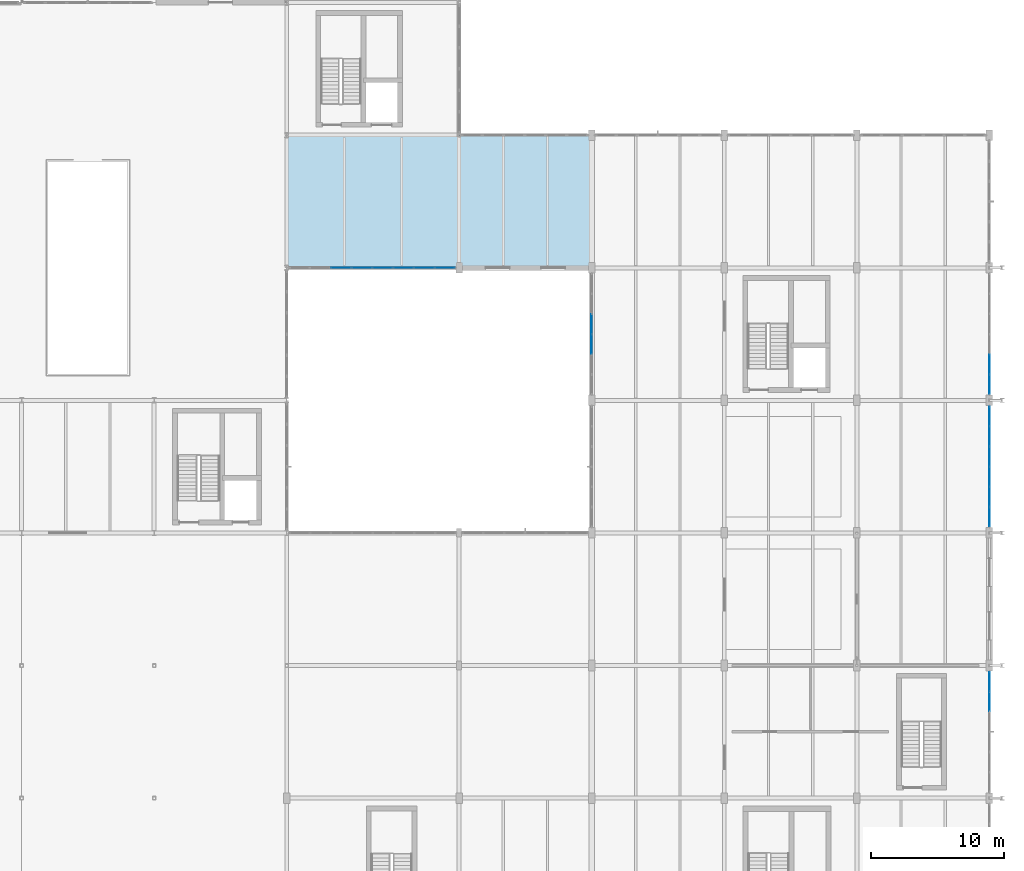
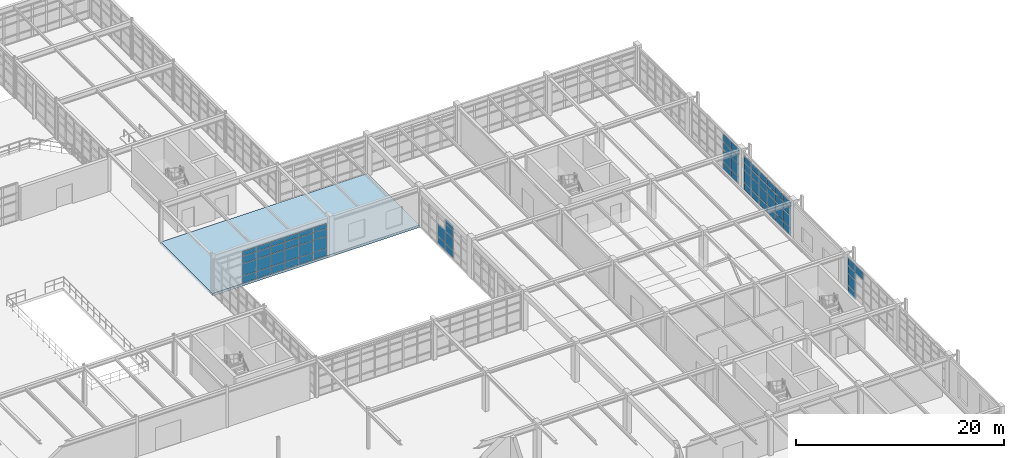
# One storey, part 100 of 139: 67 plates, 1 slab, 5 elements without a shape of their own.
"""IFC4 building model written with IfcOpenShell, lengths in metres."""

from ifc_helpers import new_model, si_unit, direction, frame, origin, origin_2d, place, context, subcontext, project, spatial, polyline, rectangle, outline, extrude, material, layer, layer_set, type_object, element, aggregate, save


model = new_model("IFC4")

# Units and contexts
model_context = context("Model", 3, precision=1e-05, world=origin(), true_north=direction((0.0, 1.0)))
body_context = subcontext(model_context, "Body", "Model", "MODEL_VIEW")
ifc_project = project(units=[si_unit("LENGTHUNIT", "METRE"), si_unit("AREAUNIT", "SQUARE_METRE"), si_unit("VOLUMEUNIT", "CUBIC_METRE"), si_unit("PLANEANGLEUNIT", "RADIAN"), si_unit("MASSUNIT", "GRAM", prefix="KILO"), si_unit("THERMODYNAMICTEMPERATUREUNIT", "KELVIN"), si_unit("POWERUNIT", "WATT")], contexts=[model_context])

# Site, building, storey
site_placement = place(None, origin())
site = spatial("IfcSite", under=ifc_project, at=site_placement, CompositionType="ELEMENT")
building_placement = place(site_placement, origin())
building = spatial("IfcBuilding", under=site, at=building_placement, Name="Korenveer Ferry Terminal", CompositionType="ELEMENT")
storey_placement = place(building_placement, frame((0.0, 0.0, 5.39990234375)))
storey = spatial("IfcBuildingStorey", under=building, at=storey_placement, Name="L01", CompositionType="ELEMENT", Elevation=5.39990234375)

# Curtain wall, plates
ifc_material_1 = material(Name="Unitised bronze-and-glass curtain wall", Category="glass")
ifc_layer_1 = layer(ifc_material_1, 0.159912109375)
ifc_layer_set_1 = layer_set([ifc_layer_1], Name="Unitised bronze-and-glass curtain wall")
curtain_wall_type_1 = type_object("IfcCurtainWallType", Name="ENV-CW-47", PredefinedType="USERDEFINED", material=ifc_layer_set_1)
curtain_wall_1_placement = place(storey_placement, frame((123.179931640625, 70.0, 0.0)))
curtain_wall_1 = element("IfcCurtainWall", 1, at=curtain_wall_1_placement, inside=storey, type_object=curtain_wall_type_1, Name="Lancet curtain wall CWX-L01-X123-136-Y70-70", ObjectType="UNITISED CURTAIN WALL", PredefinedType="USERDEFINED")
ifc_material_2 = material(Name="Low-iron solar-control double glazing", Category="glass")
ifc_layer_2 = layer(ifc_material_2, 0.028076171875)
ifc_layer_set_2 = layer_set([ifc_layer_2], Name="Low-iron solar-control double glazing")
plate_type = type_object("IfcPlateType", Name="ENV-CWP-GLZ28", PredefinedType="CURTAIN_PANEL", material=ifc_layer_set_2)
plate_1_placement = place(storey_placement, frame((127.0986328125, 70.0, 0.06005859375), z_axis=(0.0, 0.0, 1.0), x_axis=(1.0, 0.0, 0.0)))
plate_1 = element("IfcPlate", 2, at=plate_1_placement, type_object=plate_type, Name="CW-47 panel 3.1", PredefinedType="CURTAIN_PANEL", context=body_context, shape_type="SweptSolid", body=[
    extrude(rectangle(XDim=1.507568359375, YDim=0.028076171875, at=origin_2d()), origin(), (0.0, 0.0, 1.0), 0.81005859375),
])
plate_2_placement = place(storey_placement, frame((127.0986328125, 70.0, 0.93017578125), z_axis=(0.0, 0.0, 1.0), x_axis=(1.0, 0.0, 0.0)))
plate_2 = element("IfcPlate", 3, at=plate_2_placement, type_object=plate_type, Name="CW-47 panel 3.2", PredefinedType="CURTAIN_PANEL", context=body_context, shape_type="SweptSolid", body=[
    extrude(rectangle(XDim=1.507568359375, YDim=0.028076171875, at=origin_2d()), origin(), (0.0, 0.0, 1.0), 1.389892578125),
])
plate_3_placement = place(storey_placement, frame((127.0986328125, 70.0, 2.3798828125), z_axis=(0.0, 0.0, 1.0), x_axis=(1.0, 0.0, 0.0)))
plate_3 = element("IfcPlate", 4, at=plate_3_placement, type_object=plate_type, Name="CW-47 panel 3.3", PredefinedType="CURTAIN_PANEL", context=body_context, shape_type="SweptSolid", body=[
    extrude(rectangle(XDim=1.507568359375, YDim=0.028076171875, at=origin_2d()), origin(), (0.0, 0.0, 1.0), 0.840087890625),
])
plate_4_placement = place(storey_placement, frame((127.0986328125, 70.0, 3.2802734375), z_axis=(0.0, 0.0, 1.0), x_axis=(1.0, 0.0, 0.0)))
plate_4 = element("IfcPlate", 5, at=plate_4_placement, type_object=plate_type, Name="CW-47 panel 3.4", PredefinedType="CURTAIN_PANEL", context=body_context, shape_type="SweptSolid", body=[
    extrude(rectangle(XDim=1.507568359375, YDim=0.028076171875, at=origin_2d()), origin(), (0.0, 0.0, 1.0), 0.530029296875),
])
plate_5_placement = place(storey_placement, frame((128.666259765625, 70.0, 0.06005859375), z_axis=(0.0, 0.0, 1.0), x_axis=(1.0, 0.0, 0.0)))
plate_5 = element("IfcPlate", 6, at=plate_5_placement, type_object=plate_type, Name="CW-47 panel 4.1", PredefinedType="CURTAIN_PANEL", context=body_context, shape_type="SweptSolid", body=[
    extrude(rectangle(XDim=1.507568359375, YDim=0.028076171875, at=origin_2d()), origin(), (0.0, 0.0, 1.0), 0.81005859375),
])
plate_6_placement = place(storey_placement, frame((128.666259765625, 70.0, 0.93017578125), z_axis=(0.0, 0.0, 1.0), x_axis=(1.0, 0.0, 0.0)))
plate_6 = element("IfcPlate", 7, at=plate_6_placement, type_object=plate_type, Name="CW-47 panel 4.2", PredefinedType="CURTAIN_PANEL", context=body_context, shape_type="SweptSolid", body=[
    extrude(rectangle(XDim=1.507568359375, YDim=0.028076171875, at=origin_2d()), origin(), (0.0, 0.0, 1.0), 1.389892578125),
])
plate_7_placement = place(storey_placement, frame((128.666259765625, 70.0, 2.3798828125), z_axis=(0.0, 0.0, 1.0), x_axis=(1.0, 0.0, 0.0)))
plate_7 = element("IfcPlate", 8, at=plate_7_placement, type_object=plate_type, Name="CW-47 panel 4.3", PredefinedType="CURTAIN_PANEL", context=body_context, shape_type="SweptSolid", body=[
    extrude(rectangle(XDim=1.507568359375, YDim=0.028076171875, at=origin_2d()), origin(), (0.0, 0.0, 1.0), 0.840087890625),
])
plate_8_placement = place(storey_placement, frame((128.666259765625, 70.0, 3.2802734375), z_axis=(0.0, 0.0, 1.0), x_axis=(1.0, 0.0, 0.0)))
plate_8 = element("IfcPlate", 9, at=plate_8_placement, type_object=plate_type, Name="CW-47 panel 4.4", PredefinedType="CURTAIN_PANEL", context=body_context, shape_type="SweptSolid", body=[
    extrude(rectangle(XDim=1.507568359375, YDim=0.028076171875, at=origin_2d()), origin(), (0.0, 0.0, 1.0), 0.530029296875),
])
plate_9_placement = place(storey_placement, frame((130.233642578125, 70.0, 0.06005859375), z_axis=(0.0, 0.0, 1.0), x_axis=(1.0, 0.0, 0.0)))
plate_9 = element("IfcPlate", 10, at=plate_9_placement, type_object=plate_type, Name="CW-47 panel 5.1", PredefinedType="CURTAIN_PANEL", context=body_context, shape_type="SweptSolid", body=[
    extrude(rectangle(XDim=1.507568359375, YDim=0.028076171875, at=origin_2d()), origin(), (0.0, 0.0, 1.0), 0.81005859375),
])
plate_10_placement = place(storey_placement, frame((130.233642578125, 70.0, 0.93017578125), z_axis=(0.0, 0.0, 1.0), x_axis=(1.0, 0.0, 0.0)))
plate_10 = element("IfcPlate", 11, at=plate_10_placement, type_object=plate_type, Name="CW-47 panel 5.2", PredefinedType="CURTAIN_PANEL", context=body_context, shape_type="SweptSolid", body=[
    extrude(rectangle(XDim=1.507568359375, YDim=0.028076171875, at=origin_2d()), origin(), (0.0, 0.0, 1.0), 1.389892578125),
])
plate_11_placement = place(storey_placement, frame((130.233642578125, 70.0, 2.3798828125), z_axis=(0.0, 0.0, 1.0), x_axis=(1.0, 0.0, 0.0)))
plate_11 = element("IfcPlate", 12, at=plate_11_placement, type_object=plate_type, Name="CW-47 panel 5.3", PredefinedType="CURTAIN_PANEL", context=body_context, shape_type="SweptSolid", body=[
    extrude(rectangle(XDim=1.507568359375, YDim=0.028076171875, at=origin_2d()), origin(), (0.0, 0.0, 1.0), 0.840087890625),
])
plate_12_placement = place(storey_placement, frame((130.233642578125, 70.0, 3.2802734375), z_axis=(0.0, 0.0, 1.0), x_axis=(1.0, 0.0, 0.0)))
plate_12 = element("IfcPlate", 13, at=plate_12_placement, type_object=plate_type, Name="CW-47 panel 5.4", PredefinedType="CURTAIN_PANEL", context=body_context, shape_type="SweptSolid", body=[
    extrude(rectangle(XDim=1.507568359375, YDim=0.028076171875, at=origin_2d()), origin(), (0.0, 0.0, 1.0), 0.530029296875),
])
plate_13_placement = place(storey_placement, frame((131.80126953125, 70.0, 0.06005859375), z_axis=(0.0, 0.0, 1.0), x_axis=(1.0, 0.0, 0.0)))
plate_13 = element("IfcPlate", 14, at=plate_13_placement, type_object=plate_type, Name="CW-47 panel 6.1", PredefinedType="CURTAIN_PANEL", context=body_context, shape_type="SweptSolid", body=[
    extrude(rectangle(XDim=1.507568359375, YDim=0.028076171875, at=origin_2d()), origin(), (0.0, 0.0, 1.0), 0.81005859375),
])
plate_14_placement = place(storey_placement, frame((131.80126953125, 70.0, 0.93017578125), z_axis=(0.0, 0.0, 1.0), x_axis=(1.0, 0.0, 0.0)))
plate_14 = element("IfcPlate", 15, at=plate_14_placement, type_object=plate_type, Name="CW-47 panel 6.2", PredefinedType="CURTAIN_PANEL", context=body_context, shape_type="SweptSolid", body=[
    extrude(rectangle(XDim=1.507568359375, YDim=0.028076171875, at=origin_2d()), origin(), (0.0, 0.0, 1.0), 1.389892578125),
])
plate_15_placement = place(storey_placement, frame((131.80126953125, 70.0, 2.3798828125), z_axis=(0.0, 0.0, 1.0), x_axis=(1.0, 0.0, 0.0)))
plate_15 = element("IfcPlate", 16, at=plate_15_placement, type_object=plate_type, Name="CW-47 panel 6.3", PredefinedType="CURTAIN_PANEL", context=body_context, shape_type="SweptSolid", body=[
    extrude(rectangle(XDim=1.507568359375, YDim=0.028076171875, at=origin_2d()), origin(), (0.0, 0.0, 1.0), 0.840087890625),
])
plate_16_placement = place(storey_placement, frame((131.80126953125, 70.0, 3.2802734375), z_axis=(0.0, 0.0, 1.0), x_axis=(1.0, 0.0, 0.0)))
plate_16 = element("IfcPlate", 17, at=plate_16_placement, type_object=plate_type, Name="CW-47 panel 6.4", PredefinedType="CURTAIN_PANEL", context=body_context, shape_type="SweptSolid", body=[
    extrude(rectangle(XDim=1.507568359375, YDim=0.028076171875, at=origin_2d()), origin(), (0.0, 0.0, 1.0), 0.530029296875),
])
plate_17_placement = place(storey_placement, frame((133.36865234375, 70.0, 0.06005859375), z_axis=(0.0, 0.0, 1.0), x_axis=(1.0, 0.0, 0.0)))
plate_17 = element("IfcPlate", 18, at=plate_17_placement, type_object=plate_type, Name="CW-47 panel 7.1", PredefinedType="CURTAIN_PANEL", context=body_context, shape_type="SweptSolid", body=[
    extrude(rectangle(XDim=1.507568359375, YDim=0.028076171875, at=origin_2d()), origin(), (0.0, 0.0, 1.0), 0.81005859375),
])
plate_18_placement = place(storey_placement, frame((133.36865234375, 70.0, 0.93017578125), z_axis=(0.0, 0.0, 1.0), x_axis=(1.0, 0.0, 0.0)))
plate_18 = element("IfcPlate", 19, at=plate_18_placement, type_object=plate_type, Name="CW-47 panel 7.2", PredefinedType="CURTAIN_PANEL", context=body_context, shape_type="SweptSolid", body=[
    extrude(rectangle(XDim=1.507568359375, YDim=0.028076171875, at=origin_2d()), origin(), (0.0, 0.0, 1.0), 1.389892578125),
])
plate_19_placement = place(storey_placement, frame((133.36865234375, 70.0, 2.3798828125), z_axis=(0.0, 0.0, 1.0), x_axis=(1.0, 0.0, 0.0)))
plate_19 = element("IfcPlate", 20, at=plate_19_placement, type_object=plate_type, Name="CW-47 panel 7.3", PredefinedType="CURTAIN_PANEL", context=body_context, shape_type="SweptSolid", body=[
    extrude(rectangle(XDim=1.507568359375, YDim=0.028076171875, at=origin_2d()), origin(), (0.0, 0.0, 1.0), 0.840087890625),
])
plate_20_placement = place(storey_placement, frame((133.36865234375, 70.0, 3.2802734375), z_axis=(0.0, 0.0, 1.0), x_axis=(1.0, 0.0, 0.0)))
plate_20 = element("IfcPlate", 21, at=plate_20_placement, type_object=plate_type, Name="CW-47 panel 7.4", PredefinedType="CURTAIN_PANEL", context=body_context, shape_type="SweptSolid", body=[
    extrude(rectangle(XDim=1.507568359375, YDim=0.028076171875, at=origin_2d()), origin(), (0.0, 0.0, 1.0), 0.530029296875),
])
plate_21_placement = place(storey_placement, frame((134.921142578125, 70.0, 0.06005859375), z_axis=(0.0, 0.0, 1.0), x_axis=(1.0, 0.0, 0.0)))
plate_21 = element("IfcPlate", 22, at=plate_21_placement, type_object=plate_type, Name="CW-47 panel 8.1", PredefinedType="CURTAIN_PANEL", context=body_context, shape_type="SweptSolid", body=[
    extrude(rectangle(XDim=1.4775390625, YDim=0.028076171875, at=origin_2d()), origin(), (0.0, 0.0, 1.0), 0.81005859375),
])
plate_22_placement = place(storey_placement, frame((134.921142578125, 70.0, 0.93017578125), z_axis=(0.0, 0.0, 1.0), x_axis=(1.0, 0.0, 0.0)))
plate_22 = element("IfcPlate", 23, at=plate_22_placement, type_object=plate_type, Name="CW-47 panel 8.2", PredefinedType="CURTAIN_PANEL", context=body_context, shape_type="SweptSolid", body=[
    extrude(rectangle(XDim=1.4775390625, YDim=0.028076171875, at=origin_2d()), origin(), (0.0, 0.0, 1.0), 1.389892578125),
])
plate_23_placement = place(storey_placement, frame((134.921142578125, 70.0, 2.3798828125), z_axis=(0.0, 0.0, 1.0), x_axis=(1.0, 0.0, 0.0)))
plate_23 = element("IfcPlate", 24, at=plate_23_placement, type_object=plate_type, Name="CW-47 panel 8.3", PredefinedType="CURTAIN_PANEL", context=body_context, shape_type="SweptSolid", body=[
    extrude(rectangle(XDim=1.4775390625, YDim=0.028076171875, at=origin_2d()), origin(), (0.0, 0.0, 1.0), 0.840087890625),
])
plate_24_placement = place(storey_placement, frame((134.921142578125, 70.0, 3.2802734375), z_axis=(0.0, 0.0, 1.0), x_axis=(1.0, 0.0, 0.0)))
plate_24 = element("IfcPlate", 25, at=plate_24_placement, type_object=plate_type, Name="CW-47 panel 8.4", PredefinedType="CURTAIN_PANEL", context=body_context, shape_type="SweptSolid", body=[
    extrude(rectangle(XDim=1.4775390625, YDim=0.028076171875, at=origin_2d()), origin(), (0.0, 0.0, 1.0), 0.530029296875),
])
aggregate(curtain_wall_1, [plate_1, plate_2, plate_3, plate_4, plate_5, plate_6, plate_7, plate_8, plate_9, plate_10, plate_11, plate_12, plate_13, plate_14, plate_15, plate_16, plate_17, plate_18, plate_19, plate_20, plate_21, plate_22, plate_23, plate_24])

ifc_layer_3 = layer(ifc_material_1, 0.159912109375)
ifc_layer_set_3 = layer_set([ifc_layer_3], Name="Unitised bronze-and-glass curtain wall")
curtain_wall_type_2 = type_object("IfcCurtainWallType", Name="ENV-CW-79", PredefinedType="USERDEFINED", material=ifc_layer_set_3)
curtain_wall_2_placement = place(storey_placement, frame((146.0, 60.429931640625, 0.0)))
curtain_wall_2 = element("IfcCurtainWall", 26, at=curtain_wall_2_placement, inside=storey, type_object=curtain_wall_type_2, Name="Lancet curtain wall CWX-L01-X146-146-Y60-70", ObjectType="UNITISED CURTAIN WALL", PredefinedType="USERDEFINED")
plate_25_placement = place(storey_placement, frame((146.0, 64.23828125, 0.06005859375), z_axis=(0.0, 0.0, 1.0), x_axis=(0.0, 1.0, 0.0)))
plate_25 = element("IfcPlate", 27, at=plate_25_placement, type_object=plate_type, Name="CW-79 panel 3.1", PredefinedType="CURTAIN_PANEL", context=body_context, shape_type="SweptSolid", body=[
    extrude(rectangle(XDim=1.46337890625, YDim=0.028076171875, at=origin_2d()), origin(), (0.0, 0.0, 1.0), 0.81005859375),
])
plate_26_placement = place(storey_placement, frame((146.0, 64.23828125, 0.93017578125), z_axis=(0.0, 0.0, 1.0), x_axis=(0.0, 1.0, 0.0)))
plate_26 = element("IfcPlate", 28, at=plate_26_placement, type_object=plate_type, Name="CW-79 panel 3.2", PredefinedType="CURTAIN_PANEL", context=body_context, shape_type="SweptSolid", body=[
    extrude(rectangle(XDim=1.46337890625, YDim=0.028076171875, at=origin_2d()), origin(), (0.0, 0.0, 1.0), 1.389892578125),
])
plate_27_placement = place(storey_placement, frame((146.0, 64.23828125, 2.3798828125), z_axis=(0.0, 0.0, 1.0), x_axis=(0.0, 1.0, 0.0)))
plate_27 = element("IfcPlate", 29, at=plate_27_placement, type_object=plate_type, Name="CW-79 panel 3.3", PredefinedType="CURTAIN_PANEL", context=body_context, shape_type="SweptSolid", body=[
    extrude(rectangle(XDim=1.46337890625, YDim=0.028076171875, at=origin_2d()), origin(), (0.0, 0.0, 1.0), 0.840087890625),
])
plate_28_placement = place(storey_placement, frame((146.0, 64.23828125, 3.2802734375), z_axis=(0.0, 0.0, 1.0), x_axis=(0.0, 1.0, 0.0)))
plate_28 = element("IfcPlate", 30, at=plate_28_placement, type_object=plate_type, Name="CW-79 panel 3.4", PredefinedType="CURTAIN_PANEL", context=body_context, shape_type="SweptSolid", body=[
    extrude(rectangle(XDim=1.46337890625, YDim=0.028076171875, at=origin_2d()), origin(), (0.0, 0.0, 1.0), 0.530029296875),
])
plate_29_placement = place(storey_placement, frame((146.0, 65.76171875, 0.06005859375), z_axis=(0.0, 0.0, 1.0), x_axis=(0.0, 1.0, 0.0)))
plate_29 = element("IfcPlate", 31, at=plate_29_placement, type_object=plate_type, Name="CW-79 panel 4.1", PredefinedType="CURTAIN_PANEL", context=body_context, shape_type="SweptSolid", body=[
    extrude(rectangle(XDim=1.46337890625, YDim=0.028076171875, at=origin_2d()), origin(), (0.0, 0.0, 1.0), 0.81005859375),
])
plate_30_placement = place(storey_placement, frame((146.0, 65.76171875, 0.93017578125), z_axis=(0.0, 0.0, 1.0), x_axis=(0.0, 1.0, 0.0)))
plate_30 = element("IfcPlate", 32, at=plate_30_placement, type_object=plate_type, Name="CW-79 panel 4.2", PredefinedType="CURTAIN_PANEL", context=body_context, shape_type="SweptSolid", body=[
    extrude(rectangle(XDim=1.46337890625, YDim=0.028076171875, at=origin_2d()), origin(), (0.0, 0.0, 1.0), 1.389892578125),
])
aggregate(curtain_wall_2, [plate_25, plate_26, plate_27, plate_28, plate_29, plate_30])

ifc_layer_4 = layer(ifc_material_1, 0.159912109375)
ifc_layer_set_4 = layer_set([ifc_layer_4], Name="Unitised bronze-and-glass curtain wall")
curtain_wall_type_3 = type_object("IfcCurtainWallType", Name="ENV-CW-81", PredefinedType="USERDEFINED", material=ifc_layer_set_4)
curtain_wall_3_placement = place(storey_placement, frame((176.0, 39.570068359375, 0.0)))
curtain_wall_3 = element("IfcCurtainWall", 33, at=curtain_wall_3_placement, inside=storey, type_object=curtain_wall_type_3, Name="Lancet curtain wall CWX-L01-X176-176-Y30-40", ObjectType="UNITISED CURTAIN WALL", PredefinedType="USERDEFINED")
plate_31_placement = place(storey_placement, frame((176.0, 38.793212890625, 0.06005859375), z_axis=(0.0, 0.0, 1.0), x_axis=(0.0, -1.0, 0.0)))
plate_31 = element("IfcPlate", 34, at=plate_31_placement, type_object=plate_type, Name="CW-81 panel 1.1", PredefinedType="CURTAIN_PANEL", context=body_context, shape_type="SweptSolid", body=[
    extrude(rectangle(XDim=1.433349609375, YDim=0.028076171875, at=origin_2d()), origin(), (0.0, 0.0, 1.0), 0.81005859375),
])
plate_32_placement = place(storey_placement, frame((176.0, 38.793212890625, 0.93017578125), z_axis=(0.0, 0.0, 1.0), x_axis=(0.0, -1.0, 0.0)))
plate_32 = element("IfcPlate", 35, at=plate_32_placement, type_object=plate_type, Name="CW-81 panel 1.2", PredefinedType="CURTAIN_PANEL", context=body_context, shape_type="SweptSolid", body=[
    extrude(rectangle(XDim=1.433349609375, YDim=0.028076171875, at=origin_2d()), origin(), (0.0, 0.0, 1.0), 1.389892578125),
])
plate_33_placement = place(storey_placement, frame((176.0, 38.793212890625, 2.3798828125), z_axis=(0.0, 0.0, 1.0), x_axis=(0.0, -1.0, 0.0)))
plate_33 = element("IfcPlate", 36, at=plate_33_placement, type_object=plate_type, Name="CW-81 panel 1.3", PredefinedType="CURTAIN_PANEL", context=body_context, shape_type="SweptSolid", body=[
    extrude(rectangle(XDim=1.433349609375, YDim=0.028076171875, at=origin_2d()), origin(), (0.0, 0.0, 1.0), 0.840087890625),
])
plate_34_placement = place(storey_placement, frame((176.0, 38.793212890625, 3.2802734375), z_axis=(0.0, 0.0, 1.0), x_axis=(0.0, -1.0, 0.0)))
plate_34 = element("IfcPlate", 37, at=plate_34_placement, type_object=plate_type, Name="CW-81 panel 1.4", PredefinedType="CURTAIN_PANEL", context=body_context, shape_type="SweptSolid", body=[
    extrude(rectangle(XDim=1.433349609375, YDim=0.028076171875, at=origin_2d()), origin(), (0.0, 0.0, 1.0), 0.929931640625),
])
plate_35_placement = place(storey_placement, frame((176.0, 37.284912109375, 3.2802734375), z_axis=(0.0, 0.0, 1.0), x_axis=(0.0, -1.0, 0.0)))
plate_35 = element("IfcPlate", 38, at=plate_35_placement, type_object=plate_type, Name="CW-81 panel 2.4", PredefinedType="CURTAIN_PANEL", context=body_context, shape_type="SweptSolid", body=[
    extrude(rectangle(XDim=1.46337890625, YDim=0.028076171875, at=origin_2d()), origin(), (0.0, 0.0, 1.0), 0.929931640625),
])
aggregate(curtain_wall_3, [plate_31, plate_32, plate_33, plate_34, plate_35])

ifc_layer_5 = layer(ifc_material_1, 0.159912109375)
ifc_layer_set_5 = layer_set([ifc_layer_5], Name="Unitised bronze-and-glass curtain wall")
curtain_wall_type_4 = type_object("IfcCurtainWallType", Name="ENV-CW-80", PredefinedType="USERDEFINED", material=ifc_layer_set_5)
curtain_wall_4_placement = place(storey_placement, frame((176.0, 59.570068359375, 0.0)))
curtain_wall_4 = element("IfcCurtainWall", 39, at=curtain_wall_4_placement, inside=storey, type_object=curtain_wall_type_4, Name="Lancet curtain wall CWX-L01-X176-176-Y50-60", ObjectType="UNITISED CURTAIN WALL", PredefinedType="USERDEFINED")
plate_36_placement = place(storey_placement, frame((176.0, 58.793212890625, 0.06005859375), z_axis=(0.0, 0.0, 1.0), x_axis=(0.0, -1.0, 0.0)))
plate_36 = element("IfcPlate", 40, at=plate_36_placement, type_object=plate_type, Name="CW-80 panel 1.1", PredefinedType="CURTAIN_PANEL", context=body_context, shape_type="SweptSolid", body=[
    extrude(rectangle(XDim=1.433349609375, YDim=0.028076171875, at=origin_2d()), origin(), (0.0, 0.0, 1.0), 0.81005859375),
])
plate_37_placement = place(storey_placement, frame((176.0, 58.793212890625, 0.93017578125), z_axis=(0.0, 0.0, 1.0), x_axis=(0.0, -1.0, 0.0)))
plate_37 = element("IfcPlate", 41, at=plate_37_placement, type_object=plate_type, Name="CW-80 panel 1.2", PredefinedType="CURTAIN_PANEL", context=body_context, shape_type="SweptSolid", body=[
    extrude(rectangle(XDim=1.433349609375, YDim=0.028076171875, at=origin_2d()), origin(), (0.0, 0.0, 1.0), 1.389892578125),
])
plate_38_placement = place(storey_placement, frame((176.0, 58.793212890625, 2.3798828125), z_axis=(0.0, 0.0, 1.0), x_axis=(0.0, -1.0, 0.0)))
plate_38 = element("IfcPlate", 42, at=plate_38_placement, type_object=plate_type, Name="CW-80 panel 1.3", PredefinedType="CURTAIN_PANEL", context=body_context, shape_type="SweptSolid", body=[
    extrude(rectangle(XDim=1.433349609375, YDim=0.028076171875, at=origin_2d()), origin(), (0.0, 0.0, 1.0), 0.840087890625),
])
plate_39_placement = place(storey_placement, frame((176.0, 58.793212890625, 3.280029296875), z_axis=(0.0, 0.0, 1.0), x_axis=(0.0, -1.0, 0.0)))
plate_39 = element("IfcPlate", 43, at=plate_39_placement, type_object=plate_type, Name="CW-80 panel 1.4", PredefinedType="CURTAIN_PANEL", context=body_context, shape_type="SweptSolid", body=[
    extrude(rectangle(XDim=1.433349609375, YDim=0.028076171875, at=origin_2d()), origin(), (0.0, 0.0, 1.0), 0.72998046875),
])
plate_40_placement = place(storey_placement, frame((176.0, 57.284912109375, 0.06005859375), z_axis=(0.0, 0.0, 1.0), x_axis=(0.0, -1.0, 0.0)))
plate_40 = element("IfcPlate", 44, at=plate_40_placement, type_object=plate_type, Name="CW-80 panel 2.1", PredefinedType="CURTAIN_PANEL", context=body_context, shape_type="SweptSolid", body=[
    extrude(rectangle(XDim=1.46337890625, YDim=0.028076171875, at=origin_2d()), origin(), (0.0, 0.0, 1.0), 0.81005859375),
])
plate_41_placement = place(storey_placement, frame((176.0, 57.284912109375, 0.93017578125), z_axis=(0.0, 0.0, 1.0), x_axis=(0.0, -1.0, 0.0)))
plate_41 = element("IfcPlate", 45, at=plate_41_placement, type_object=plate_type, Name="CW-80 panel 2.2", PredefinedType="CURTAIN_PANEL", context=body_context, shape_type="SweptSolid", body=[
    extrude(rectangle(XDim=1.46337890625, YDim=0.028076171875, at=origin_2d()), origin(), (0.0, 0.0, 1.0), 1.389892578125),
])
plate_42_placement = place(storey_placement, frame((176.0, 57.284912109375, 2.3798828125), z_axis=(0.0, 0.0, 1.0), x_axis=(0.0, -1.0, 0.0)))
plate_42 = element("IfcPlate", 46, at=plate_42_placement, type_object=plate_type, Name="CW-80 panel 2.3", PredefinedType="CURTAIN_PANEL", context=body_context, shape_type="SweptSolid", body=[
    extrude(rectangle(XDim=1.46337890625, YDim=0.028076171875, at=origin_2d()), origin(), (0.0, 0.0, 1.0), 0.840087890625),
])
plate_43_placement = place(storey_placement, frame((176.0, 57.284912109375, 3.280029296875), z_axis=(0.0, 0.0, 1.0), x_axis=(0.0, -1.0, 0.0)))
plate_43 = element("IfcPlate", 47, at=plate_43_placement, type_object=plate_type, Name="CW-80 panel 2.4", PredefinedType="CURTAIN_PANEL", context=body_context, shape_type="SweptSolid", body=[
    extrude(rectangle(XDim=1.46337890625, YDim=0.028076171875, at=origin_2d()), origin(), (0.0, 0.0, 1.0), 0.72998046875),
])
plate_44_placement = place(storey_placement, frame((176.0, 55.76171875, 0.06005859375), z_axis=(0.0, 0.0, 1.0), x_axis=(0.0, -1.0, 0.0)))
plate_44 = element("IfcPlate", 48, at=plate_44_placement, type_object=plate_type, Name="CW-80 panel 3.1", PredefinedType="CURTAIN_PANEL", context=body_context, shape_type="SweptSolid", body=[
    extrude(rectangle(XDim=1.46337890625, YDim=0.028076171875, at=origin_2d()), origin(), (0.0, 0.0, 1.0), 0.81005859375),
])
plate_45_placement = place(storey_placement, frame((176.0, 55.76171875, 0.93017578125), z_axis=(0.0, 0.0, 1.0), x_axis=(0.0, -1.0, 0.0)))
plate_45 = element("IfcPlate", 49, at=plate_45_placement, type_object=plate_type, Name="CW-80 panel 3.2", PredefinedType="CURTAIN_PANEL", context=body_context, shape_type="SweptSolid", body=[
    extrude(rectangle(XDim=1.46337890625, YDim=0.028076171875, at=origin_2d()), origin(), (0.0, 0.0, 1.0), 1.389892578125),
])
plate_46_placement = place(storey_placement, frame((176.0, 55.76171875, 2.3798828125), z_axis=(0.0, 0.0, 1.0), x_axis=(0.0, -1.0, 0.0)))
plate_46 = element("IfcPlate", 50, at=plate_46_placement, type_object=plate_type, Name="CW-80 panel 3.3", PredefinedType="CURTAIN_PANEL", context=body_context, shape_type="SweptSolid", body=[
    extrude(rectangle(XDim=1.46337890625, YDim=0.028076171875, at=origin_2d()), origin(), (0.0, 0.0, 1.0), 0.840087890625),
])
plate_47_placement = place(storey_placement, frame((176.0, 55.76171875, 3.280029296875), z_axis=(0.0, 0.0, 1.0), x_axis=(0.0, -1.0, 0.0)))
plate_47 = element("IfcPlate", 51, at=plate_47_placement, type_object=plate_type, Name="CW-80 panel 3.4", PredefinedType="CURTAIN_PANEL", context=body_context, shape_type="SweptSolid", body=[
    extrude(rectangle(XDim=1.46337890625, YDim=0.028076171875, at=origin_2d()), origin(), (0.0, 0.0, 1.0), 0.72998046875),
])
plate_48_placement = place(storey_placement, frame((176.0, 54.23828125, 0.06005859375), z_axis=(0.0, 0.0, 1.0), x_axis=(0.0, -1.0, 0.0)))
plate_48 = element("IfcPlate", 52, at=plate_48_placement, type_object=plate_type, Name="CW-80 panel 4.1", PredefinedType="CURTAIN_PANEL", context=body_context, shape_type="SweptSolid", body=[
    extrude(rectangle(XDim=1.46337890625, YDim=0.028076171875, at=origin_2d()), origin(), (0.0, 0.0, 1.0), 0.81005859375),
])
plate_49_placement = place(storey_placement, frame((176.0, 54.23828125, 0.93017578125), z_axis=(0.0, 0.0, 1.0), x_axis=(0.0, -1.0, 0.0)))
plate_49 = element("IfcPlate", 53, at=plate_49_placement, type_object=plate_type, Name="CW-80 panel 4.2", PredefinedType="CURTAIN_PANEL", context=body_context, shape_type="SweptSolid", body=[
    extrude(rectangle(XDim=1.46337890625, YDim=0.028076171875, at=origin_2d()), origin(), (0.0, 0.0, 1.0), 1.389892578125),
])
plate_50_placement = place(storey_placement, frame((176.0, 54.23828125, 2.3798828125), z_axis=(0.0, 0.0, 1.0), x_axis=(0.0, -1.0, 0.0)))
plate_50 = element("IfcPlate", 54, at=plate_50_placement, type_object=plate_type, Name="CW-80 panel 4.3", PredefinedType="CURTAIN_PANEL", context=body_context, shape_type="SweptSolid", body=[
    extrude(rectangle(XDim=1.46337890625, YDim=0.028076171875, at=origin_2d()), origin(), (0.0, 0.0, 1.0), 0.840087890625),
])
plate_51_placement = place(storey_placement, frame((176.0, 54.23828125, 3.280029296875), z_axis=(0.0, 0.0, 1.0), x_axis=(0.0, -1.0, 0.0)))
plate_51 = element("IfcPlate", 55, at=plate_51_placement, type_object=plate_type, Name="CW-80 panel 4.4", PredefinedType="CURTAIN_PANEL", context=body_context, shape_type="SweptSolid", body=[
    extrude(rectangle(XDim=1.46337890625, YDim=0.028076171875, at=origin_2d()), origin(), (0.0, 0.0, 1.0), 0.72998046875),
])
plate_52_placement = place(storey_placement, frame((176.0, 52.715087890625, 0.06005859375), z_axis=(0.0, 0.0, 1.0), x_axis=(0.0, -1.0, 0.0)))
plate_52 = element("IfcPlate", 56, at=plate_52_placement, type_object=plate_type, Name="CW-80 panel 5.1", PredefinedType="CURTAIN_PANEL", context=body_context, shape_type="SweptSolid", body=[
    extrude(rectangle(XDim=1.46337890625, YDim=0.028076171875, at=origin_2d()), origin(), (0.0, 0.0, 1.0), 0.81005859375),
])
plate_53_placement = place(storey_placement, frame((176.0, 52.715087890625, 0.93017578125), z_axis=(0.0, 0.0, 1.0), x_axis=(0.0, -1.0, 0.0)))
plate_53 = element("IfcPlate", 57, at=plate_53_placement, type_object=plate_type, Name="CW-80 panel 5.2", PredefinedType="CURTAIN_PANEL", context=body_context, shape_type="SweptSolid", body=[
    extrude(rectangle(XDim=1.46337890625, YDim=0.028076171875, at=origin_2d()), origin(), (0.0, 0.0, 1.0), 1.389892578125),
])
plate_54_placement = place(storey_placement, frame((176.0, 52.715087890625, 2.3798828125), z_axis=(0.0, 0.0, 1.0), x_axis=(0.0, -1.0, 0.0)))
plate_54 = element("IfcPlate", 58, at=plate_54_placement, type_object=plate_type, Name="CW-80 panel 5.3", PredefinedType="CURTAIN_PANEL", context=body_context, shape_type="SweptSolid", body=[
    extrude(rectangle(XDim=1.46337890625, YDim=0.028076171875, at=origin_2d()), origin(), (0.0, 0.0, 1.0), 0.840087890625),
])
plate_55_placement = place(storey_placement, frame((176.0, 52.715087890625, 3.280029296875), z_axis=(0.0, 0.0, 1.0), x_axis=(0.0, -1.0, 0.0)))
plate_55 = element("IfcPlate", 59, at=plate_55_placement, type_object=plate_type, Name="CW-80 panel 5.4", PredefinedType="CURTAIN_PANEL", context=body_context, shape_type="SweptSolid", body=[
    extrude(rectangle(XDim=1.46337890625, YDim=0.028076171875, at=origin_2d()), origin(), (0.0, 0.0, 1.0), 0.72998046875),
])
plate_56_placement = place(storey_placement, frame((176.0, 51.206787109375, 0.06005859375), z_axis=(0.0, 0.0, 1.0), x_axis=(0.0, -1.0, 0.0)))
plate_56 = element("IfcPlate", 60, at=plate_56_placement, type_object=plate_type, Name="CW-80 panel 6.1", PredefinedType="CURTAIN_PANEL", context=body_context, shape_type="SweptSolid", body=[
    extrude(rectangle(XDim=1.433349609375, YDim=0.028076171875, at=origin_2d()), origin(), (0.0, 0.0, 1.0), 0.81005859375),
])
plate_57_placement = place(storey_placement, frame((176.0, 51.206787109375, 0.93017578125), z_axis=(0.0, 0.0, 1.0), x_axis=(0.0, -1.0, 0.0)))
plate_57 = element("IfcPlate", 61, at=plate_57_placement, type_object=plate_type, Name="CW-80 panel 6.2", PredefinedType="CURTAIN_PANEL", context=body_context, shape_type="SweptSolid", body=[
    extrude(rectangle(XDim=1.433349609375, YDim=0.028076171875, at=origin_2d()), origin(), (0.0, 0.0, 1.0), 1.389892578125),
])
plate_58_placement = place(storey_placement, frame((176.0, 51.206787109375, 2.3798828125), z_axis=(0.0, 0.0, 1.0), x_axis=(0.0, -1.0, 0.0)))
plate_58 = element("IfcPlate", 62, at=plate_58_placement, type_object=plate_type, Name="CW-80 panel 6.3", PredefinedType="CURTAIN_PANEL", context=body_context, shape_type="SweptSolid", body=[
    extrude(rectangle(XDim=1.433349609375, YDim=0.028076171875, at=origin_2d()), origin(), (0.0, 0.0, 1.0), 0.840087890625),
])
plate_59_placement = place(storey_placement, frame((176.0, 51.206787109375, 3.280029296875), z_axis=(0.0, 0.0, 1.0), x_axis=(0.0, -1.0, 0.0)))
plate_59 = element("IfcPlate", 63, at=plate_59_placement, type_object=plate_type, Name="CW-80 panel 6.4", PredefinedType="CURTAIN_PANEL", context=body_context, shape_type="SweptSolid", body=[
    extrude(rectangle(XDim=1.433349609375, YDim=0.028076171875, at=origin_2d()), origin(), (0.0, 0.0, 1.0), 0.72998046875),
])
aggregate(curtain_wall_4, [plate_36, plate_37, plate_38, plate_39, plate_40, plate_41, plate_42, plate_43, plate_44, plate_45, plate_46, plate_47, plate_48, plate_49, plate_50, plate_51, plate_52, plate_53, plate_54, plate_55, plate_56, plate_57, plate_58, plate_59])

curtain_wall_5_placement = place(storey_placement, frame((176.0, 69.570068359375, 0.0)))
curtain_wall_5 = element("IfcCurtainWall", 64, at=curtain_wall_5_placement, inside=storey, type_object=curtain_wall_type_3, Name="Lancet curtain wall CWX-L01-X176-176-Y60-70", ObjectType="UNITISED CURTAIN WALL", PredefinedType="USERDEFINED")
plate_60_placement = place(storey_placement, frame((176.0, 62.715087890625, 0.06005859375), z_axis=(0.0, 0.0, 1.0), x_axis=(0.0, -1.0, 0.0)))
plate_60 = element("IfcPlate", 65, at=plate_60_placement, type_object=plate_type, Name="CW-81 panel 5.1", PredefinedType="CURTAIN_PANEL", context=body_context, shape_type="SweptSolid", body=[
    extrude(rectangle(XDim=1.46337890625, YDim=0.028076171875, at=origin_2d()), origin(), (0.0, 0.0, 1.0), 0.81005859375),
])
plate_61_placement = place(storey_placement, frame((176.0, 62.715087890625, 0.93017578125), z_axis=(0.0, 0.0, 1.0), x_axis=(0.0, -1.0, 0.0)))
plate_61 = element("IfcPlate", 66, at=plate_61_placement, type_object=plate_type, Name="CW-81 panel 5.2", PredefinedType="CURTAIN_PANEL", context=body_context, shape_type="SweptSolid", body=[
    extrude(rectangle(XDim=1.46337890625, YDim=0.028076171875, at=origin_2d()), origin(), (0.0, 0.0, 1.0), 1.389892578125),
])
plate_62_placement = place(storey_placement, frame((176.0, 62.715087890625, 2.3798828125), z_axis=(0.0, 0.0, 1.0), x_axis=(0.0, -1.0, 0.0)))
plate_62 = element("IfcPlate", 67, at=plate_62_placement, type_object=plate_type, Name="CW-81 panel 5.3", PredefinedType="CURTAIN_PANEL", context=body_context, shape_type="SweptSolid", body=[
    extrude(rectangle(XDim=1.46337890625, YDim=0.028076171875, at=origin_2d()), origin(), (0.0, 0.0, 1.0), 0.840087890625),
])
plate_63_placement = place(storey_placement, frame((176.0, 62.715087890625, 3.2802734375), z_axis=(0.0, 0.0, 1.0), x_axis=(0.0, -1.0, 0.0)))
plate_63 = element("IfcPlate", 68, at=plate_63_placement, type_object=plate_type, Name="CW-81 panel 5.4", PredefinedType="CURTAIN_PANEL", context=body_context, shape_type="SweptSolid", body=[
    extrude(rectangle(XDim=1.46337890625, YDim=0.028076171875, at=origin_2d()), origin(), (0.0, 0.0, 1.0), 0.929931640625),
])
plate_64_placement = place(storey_placement, frame((176.0, 61.206787109375, 0.06005859375), z_axis=(0.0, 0.0, 1.0), x_axis=(0.0, -1.0, 0.0)))
plate_64 = element("IfcPlate", 69, at=plate_64_placement, type_object=plate_type, Name="CW-81 panel 6.1", PredefinedType="CURTAIN_PANEL", context=body_context, shape_type="SweptSolid", body=[
    extrude(rectangle(XDim=1.433349609375, YDim=0.028076171875, at=origin_2d()), origin(), (0.0, 0.0, 1.0), 0.81005859375),
])
plate_65_placement = place(storey_placement, frame((176.0, 61.206787109375, 0.93017578125), z_axis=(0.0, 0.0, 1.0), x_axis=(0.0, -1.0, 0.0)))
plate_65 = element("IfcPlate", 70, at=plate_65_placement, type_object=plate_type, Name="CW-81 panel 6.2", PredefinedType="CURTAIN_PANEL", context=body_context, shape_type="SweptSolid", body=[
    extrude(rectangle(XDim=1.433349609375, YDim=0.028076171875, at=origin_2d()), origin(), (0.0, 0.0, 1.0), 1.389892578125),
])
plate_66_placement = place(storey_placement, frame((176.0, 61.206787109375, 2.3798828125), z_axis=(0.0, 0.0, 1.0), x_axis=(0.0, -1.0, 0.0)))
plate_66 = element("IfcPlate", 71, at=plate_66_placement, type_object=plate_type, Name="CW-81 panel 6.3", PredefinedType="CURTAIN_PANEL", context=body_context, shape_type="SweptSolid", body=[
    extrude(rectangle(XDim=1.433349609375, YDim=0.028076171875, at=origin_2d()), origin(), (0.0, 0.0, 1.0), 0.840087890625),
])
plate_67_placement = place(storey_placement, frame((176.0, 61.206787109375, 3.2802734375), z_axis=(0.0, 0.0, 1.0), x_axis=(0.0, -1.0, 0.0)))
plate_67 = element("IfcPlate", 72, at=plate_67_placement, type_object=plate_type, Name="CW-81 panel 6.4", PredefinedType="CURTAIN_PANEL", context=body_context, shape_type="SweptSolid", body=[
    extrude(rectangle(XDim=1.433349609375, YDim=0.028076171875, at=origin_2d()), origin(), (0.0, 0.0, 1.0), 0.929931640625),
])
aggregate(curtain_wall_5, [plate_60, plate_61, plate_62, plate_63, plate_64, plate_65, plate_66, plate_67])

# Slab
ifc_material_3 = material(Name="Concrete C35/45", Category="concrete")
ifc_layer_6 = layer(ifc_material_3, 0.280029296875)
ifc_layer_set_6 = layer_set([ifc_layer_6], Name="Concrete C35/45")
slab_type = type_object("IfcSlabType", Name="STR-SL-FLR280", PredefinedType="FLOOR", material=ifc_layer_set_6)
slab_placement = place(storey_placement, frame((0.0, 0.0, -0.27978515625)))
element("IfcSlab", 73, at=slab_placement, inside=storey, type_object=slab_type, Name="Floor slab SL-L01-PE1", PredefinedType="FLOOR", context=body_context, shape_type="SweptSolid", body=[
    extrude(outline(polyline([(123.0, 70.0), (146.0, 70.0), (146.0, 80.0), (123.0, 80.0), (123.0, 70.0)])), origin(), (0.0, 0.0, 1.0), 0.27978515625),
])

save(model, "model.ifc")
